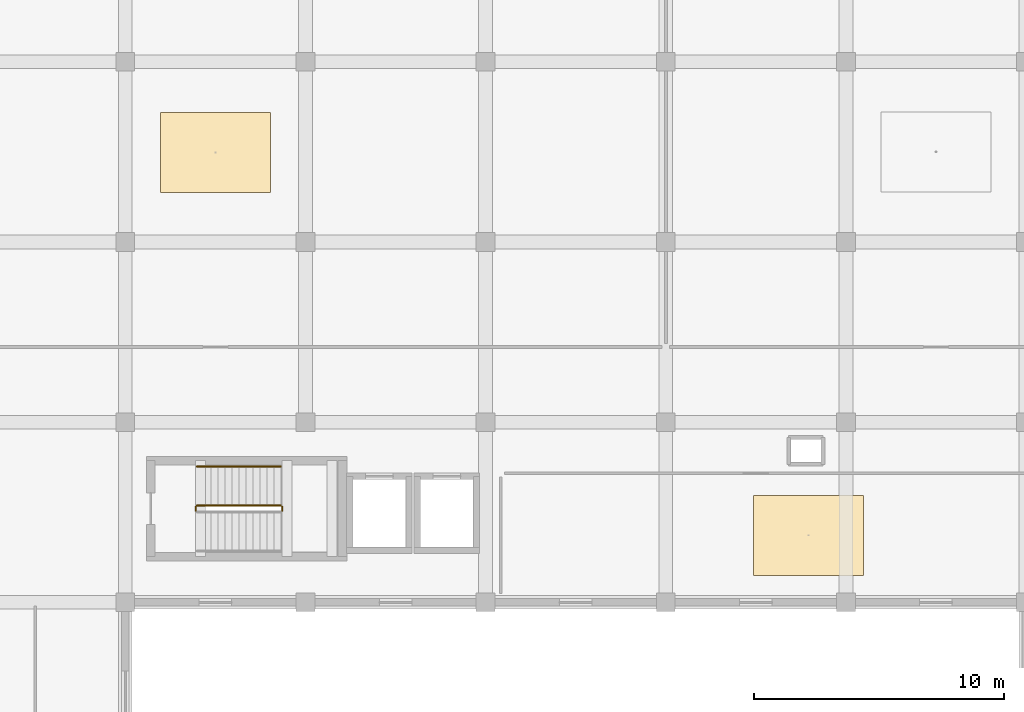
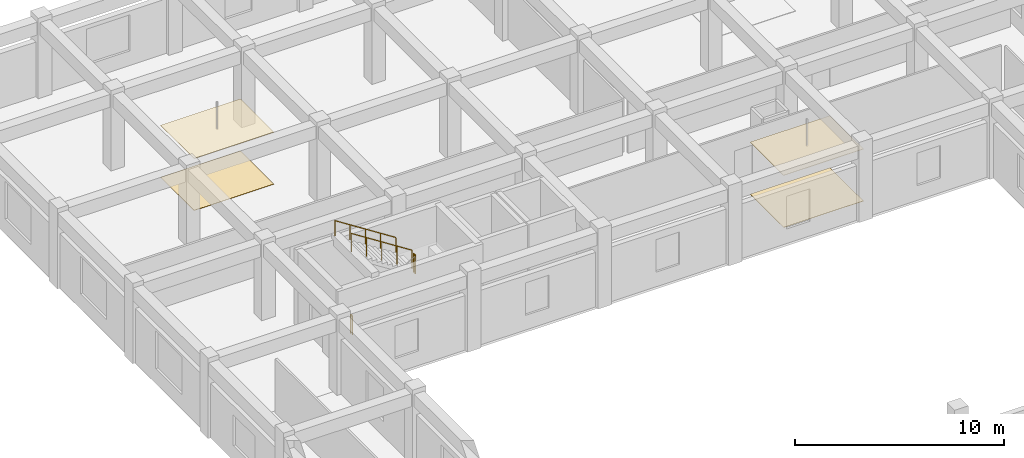
# One storey, part 54 of 55: 4 coverings, 4 railings.
"""IFC4 building model written with IfcOpenShell, lengths in metres."""

from ifc_helpers import new_model, si_unit, direction, frame, origin, origin_2d, place, context, subcontext, project, spatial, rectangle, circle, extrude, material, layer, layer_set, type_object, element, save


model = new_model("IFC4")

# Units and contexts
model_context = context("Model", 3, precision=1e-05, world=origin(), true_north=direction((0.0, 1.0)))
body_context = subcontext(model_context, "Body", "Model", "MODEL_VIEW")
ifc_project = project(units=[si_unit("LENGTHUNIT", "METRE"), si_unit("AREAUNIT", "SQUARE_METRE"), si_unit("VOLUMEUNIT", "CUBIC_METRE"), si_unit("PLANEANGLEUNIT", "RADIAN"), si_unit("MASSUNIT", "GRAM", prefix="KILO")], contexts=[model_context])

# Site, building, storey
site_placement = place(None, origin())
site = spatial("IfcSite", under=ifc_project, at=site_placement, CompositionType="ELEMENT")
building_placement = place(site_placement, origin())
building = spatial("IfcBuilding", under=site, at=building_placement, Name="Kazehaya Institute of Natural Sciences", CompositionType="ELEMENT")
storey_placement = place(building_placement, frame((0.0, 0.0, 15.1201171875)))
storey = spatial("IfcBuildingStorey", under=building, at=storey_placement, Name="L03", CompositionType="ELEMENT", Elevation=15.1201171875)

# Coverings
ifc_material_1 = material(Name="Mineral-fibre acoustic ceiling tile")
ifc_layer_1 = layer(ifc_material_1, 0.02490234375, Name="Mineral-fibre acoustic ceiling tile")
ifc_layer_set_1 = layer_set([ifc_layer_1], Name="Mineral-fibre acoustic ceiling tile")
covering_type_1 = type_object("IfcCoveringType", Name="COV-CEIL-AC", PredefinedType="CEILING", material=ifc_layer_set_1)
for number, where, z_axis, x_axis, name in (
    (1, (72.60791015625, 103.973388671875, 3.02734375), (0.0, 0.0, 1.0), (1.0, 0.0, 0.0), "L03 Biostatistics Dry Laboratory ceiling 37"),
    (2, (96.300048828125, 88.675048828125, 3.02734375), (0.0, 0.0, 1.0), (1.0, 0.0, 0.0), "L03 Researcher Write-up Office ceiling 39"),
):
    element("IfcCovering", number, at=place(storey_placement, frame(where, z_axis=z_axis, x_axis=x_axis)), inside=storey, type_object=covering_type_1, Name=name, PredefinedType="CEILING", context=body_context, shape_type="SweptSolid", body=[
        extrude(rectangle(XDim=4.39990234375, YDim=3.199951171875, at=origin_2d()), origin(), (0.0, 0.0, 1.0), 0.02490234375),
    ])
ifc_material_2 = material(Name="Polished Sawara stone terrazzo flooring", Category="masonry")
ifc_layer_2 = layer(ifc_material_2, 0.02001953125, Name="Polished Sawara stone terrazzo flooring", Category="masonry")
ifc_layer_set_2 = layer_set([ifc_layer_2], Name="Polished Sawara stone terrazzo flooring")
covering_type_2 = type_object("IfcCoveringType", Name="COV-FLR-TRZ", PredefinedType="FLOORING", material=ifc_layer_set_2)
for number, where, z_axis, x_axis, name in (
    (3, (72.60791015625, 103.973388671875, -0.000244140625), (0.0, 0.0, 1.0), (1.0, 0.0, 0.0), "L03 Biostatistics Dry Laboratory finish flooring 37"),
    (4, (96.300048828125, 88.675048828125, -0.000244140625), (0.0, 0.0, 1.0), (1.0, 0.0, 0.0), "L03 Researcher Write-up Office finish flooring 39"),
):
    element("IfcCovering", number, at=place(storey_placement, frame(where, z_axis=z_axis, x_axis=x_axis)), inside=storey, type_object=covering_type_2, Name=name, PredefinedType="FLOORING", context=body_context, shape_type="SweptSolid", body=[
        extrude(rectangle(XDim=4.39990234375, YDim=3.199951171875, at=origin_2d()), origin(), (0.0, 0.0, 1.0), 0.02001953125),
    ])

# Railings
ifc_material_3 = material(Name="Structural steel SN490B", Category="steel")
railing_type_1 = type_object("IfcRailingType", Name="RL-STAIR-GRD", PredefinedType="GUARDRAIL", material=ifc_material_3)
railing_1_placement = place(storey_placement, frame((75.27001953125, 89.659912109375, 2.33984375)))
element("IfcRailing", 5, at=railing_1_placement, inside=storey, type_object=railing_type_1, Name="L03 ST-3 stair guard 2", PredefinedType="GUARDRAIL", context=body_context, shape_type="SweptSolid", body=[
    extrude(circle(Radius=0.02392578125, at=origin_2d()), frame((0.0, 0.0, 1.076171875), z_axis=(0.0, 1.0, 0.0), x_axis=(-1.0, 0.0, 0.0)), (0.0, 0.0, 1.0), 0.16015625),
    extrude(circle(Radius=0.02099609375, at=origin_2d()), origin(), (0.0, 0.0, 1.0), 1.052001953125),
    extrude(circle(Radius=0.02099609375, at=origin_2d()), frame((0.0, 0.16015625, 0.0)), (0.0, 0.0, 1.0), 1.052001953125),
])
railing_2_placement = place(storey_placement, frame((75.219970703125, 89.8701171875, 2.519775390625)))
element("IfcRailing", 6, at=railing_2_placement, inside=storey, type_object=railing_type_1, Name="L03 ST-3 stair guard 3", PredefinedType="GUARDRAIL", context=body_context, shape_type="SweptSolid", body=[
    extrude(circle(Radius=0.02392578125, at=origin_2d()), frame((0.0, 0.0, 1.076171875), z_axis=(-0.841150671818, 0.0, 0.540800838849), x_axis=(0.0, -1.0, 0.0)), (0.0, 0.0, 1.0), 3.994384765625),
    extrude(circle(Radius=0.02099609375, at=origin_2d()), origin(), (0.0, 0.0, 1.0), 1.052001953125),
    extrude(circle(Radius=0.02099609375, at=origin_2d()), frame((-0.83984375, 0.0, 0.5400390625)), (0.0, 0.0, 1.0), 1.052001953125),
    extrude(circle(Radius=0.02099609375, at=origin_2d()), frame((-1.679931640625, 0.0, 1.080078125)), (0.0, 0.0, 1.0), 1.052001953125),
    extrude(circle(Radius=0.02099609375, at=origin_2d()), frame((-2.52001953125, 0.0, 1.6201171875)), (0.0, 0.0, 1.0), 1.052001953125),
    extrude(circle(Radius=0.02099609375, at=origin_2d()), frame((-3.35986328125, 0.0, 2.16015625)), (0.0, 0.0, 1.0), 1.052001953125),
])
railing_3_placement = place(storey_placement, frame((71.81005859375, 89.659912109375, 0.0)))
element("IfcRailing", 7, at=railing_3_placement, inside=storey, type_object=railing_type_1, Name="L03 ST-3 stair guard 4", PredefinedType="GUARDRAIL", context=body_context, shape_type="SweptSolid", body=[
    extrude(circle(Radius=0.02392578125, at=origin_2d()), frame((0.0, 0.0, 1.076171875), z_axis=(0.0, 1.0, 0.0), x_axis=(-1.0, 0.0, 0.0)), (0.0, 0.0, 1.0), 0.16015625),
    extrude(circle(Radius=0.02099609375, at=origin_2d()), origin(), (0.0, 0.0, 1.0), 1.052001953125),
    extrude(circle(Radius=0.02099609375, at=origin_2d()), frame((0.0, 0.16015625, 0.0)), (0.0, 0.0, 1.0), 1.052001953125),
])
ifc_material_4 = material(Name="Brushed stainless steel handrail", Category="steel")
railing_type_2 = type_object("IfcRailingType", Name="RL-STAIR-HND", PredefinedType="HANDRAIL", material=ifc_material_4)
railing_4_placement = place(storey_placement, frame((75.219970703125, 91.429931640625, 2.519775390625)))
element("IfcRailing", 8, at=railing_4_placement, inside=storey, type_object=railing_type_2, Name="L03 ST-3 stair handrail 2", PredefinedType="HANDRAIL", context=body_context, shape_type="SweptSolid", body=[
    extrude(circle(Radius=0.02392578125, at=origin_2d()), frame((0.0, 0.0, 0.8759765625), z_axis=(-0.841150671818, 0.0, 0.540800838849), x_axis=(0.0, -1.0, 0.0)), (0.0, 0.0, 1.0), 3.994384765625),
    extrude(circle(Radius=0.02099609375, at=origin_2d()), origin(), (0.0, 0.0, 1.0), 0.851806640625),
    extrude(circle(Radius=0.02099609375, at=origin_2d()), frame((-0.83984375, 0.0, 0.5400390625)), (0.0, 0.0, 1.0), 0.851806640625),
    extrude(circle(Radius=0.02099609375, at=origin_2d()), frame((-1.679931640625, 0.0, 1.080078125)), (0.0, 0.0, 1.0), 0.851806640625),
    extrude(circle(Radius=0.02099609375, at=origin_2d()), frame((-2.52001953125, 0.0, 1.6201171875)), (0.0, 0.0, 1.0), 0.851806640625),
    extrude(circle(Radius=0.02099609375, at=origin_2d()), frame((-3.35986328125, 0.0, 2.16015625)), (0.0, 0.0, 1.0), 0.851806640625),
])

save(model, "model.ifc")
